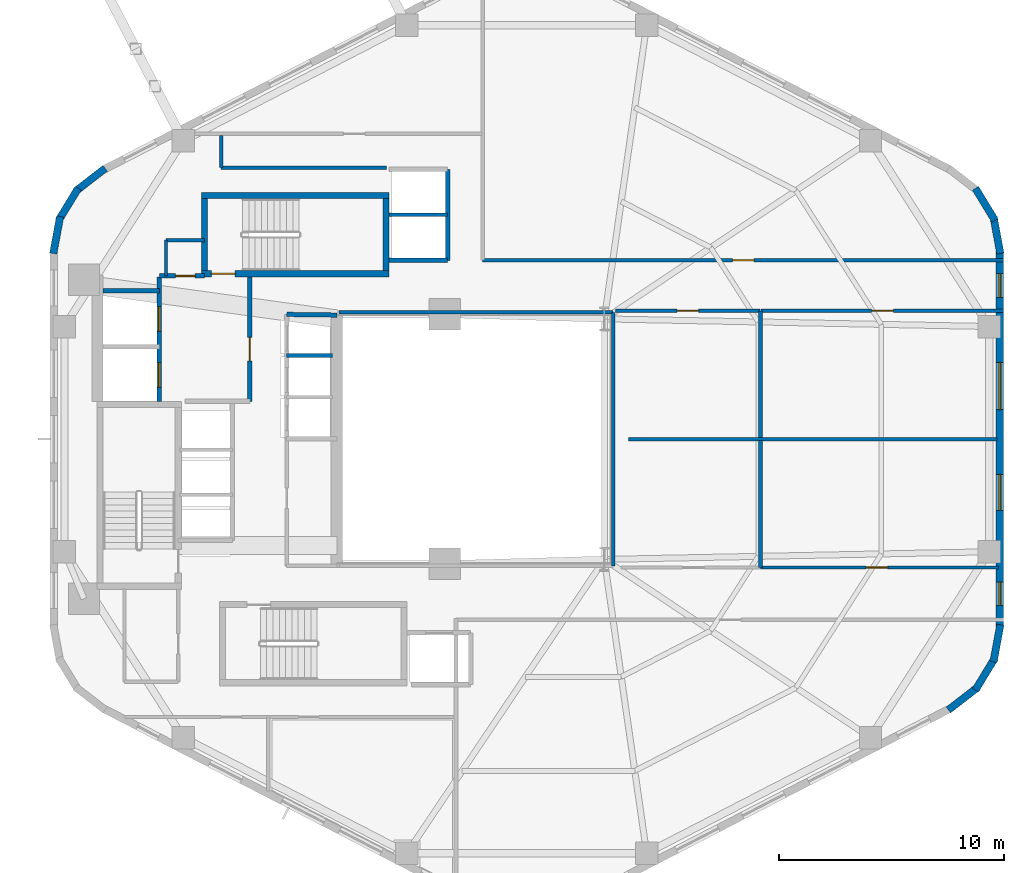
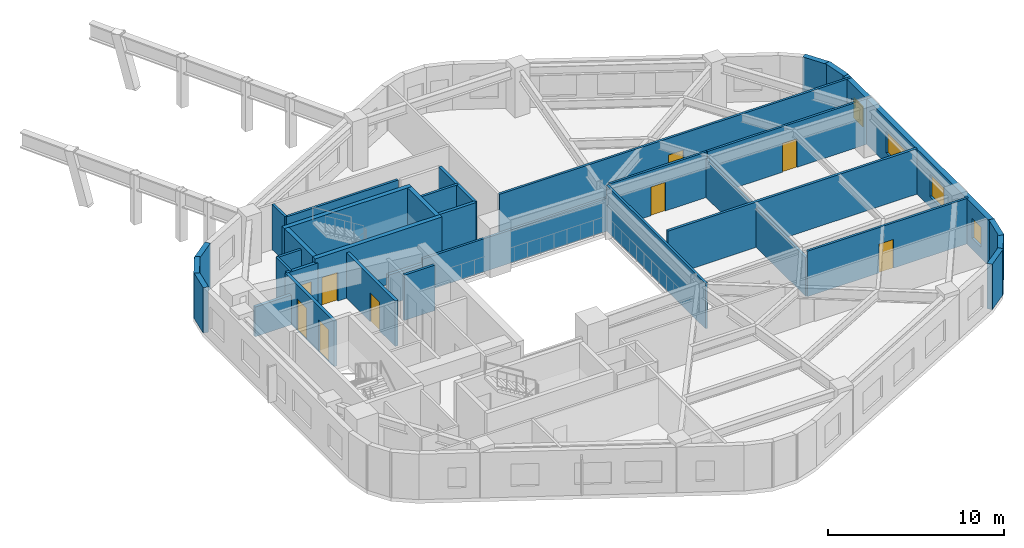
# One storey, part 4 of 6: 35 walls, 9 doors, 4 windows, 13 openings.
"""IFC4 building model written with IfcOpenShell, lengths in metres."""

import ifcopenshell
import ifcopenshell.guid

model = None  # the IFC model being written
_history = None  # IfcOwnerHistory: only IFC2X3 demands one
_inside = {}  # id of a spatial element -> (the spatial element, [elements in it])
_under = {}  # id of a project, library or spatial element -> (it, [spatial elements below it])
_declared = {}  # id of a project -> (the project, [libraries it declares])
_typed = {}  # id of a type object -> (the type object, [elements of that type])
_made_of = {}  # id of a material, layer set ... -> (it, [elements and type objects made of it])


def new_model(schema):
    """Start an empty IFC model of exactly this schema.

    Asked for "IFC4X3", IfcOpenShell would pick the latest addendum, in which some entities
    have other attributes; the version numbers below select the first issue.
    IFC2X3 requires an IfcOwnerHistory on every rooted entity: one is made here for all.
    """
    global model, _history
    if schema == "IFC4X3":
        model = ifcopenshell.file(schema_version=(4, 3, 0, 0))
    else:
        model = ifcopenshell.file(schema=schema)
    _inside.clear()
    _under.clear()
    _declared.clear()
    _typed.clear()
    _made_of.clear()
    _history = None
    if model.schema == "IFC2X3":
        org = make("IfcOrganization", Name="unknown")
        user = make(
            "IfcPersonAndOrganization",
            ThePerson=make("IfcPerson", FamilyName="unknown"),
            TheOrganization=org,
        )
        app = make(
            "IfcApplication",
            ApplicationDeveloper=org,
            Version="unknown",
            ApplicationFullName="unknown",
            ApplicationIdentifier="unknown",
        )
        _history = make(
            "IfcOwnerHistory",
            OwningUser=user,
            OwningApplication=app,
            ChangeAction="ADDED",
            CreationDate=0,
        )
    return model


def make(cls, **values):
    """One entity of the class cls with the attributes given. An attribute that is None is left unset."""
    return model.create_entity(
        cls, **{name: value for name, value in values.items() if value is not None}
    )


def rooted(cls, **values):
    """An entity with a GlobalId (a new one), such as an element, a storey or a relation."""
    return make(cls, GlobalId=ifcopenshell.guid.new(), OwnerHistory=_history, **values)


def si_unit(unit_type, name, prefix=None):
    """IfcSIUnit, for example si_unit("LENGTHUNIT", "METRE", prefix="MILLI")."""
    return make("IfcSIUnit", UnitType=unit_type, Prefix=prefix, Name=name)


def assignment(units):
    """IfcUnitAssignment: the units of a project."""
    return None if units is None else make("IfcUnitAssignment", Units=units)


def point(xyz):
    """IfcCartesianPoint."""
    return None if xyz is None else make("IfcCartesianPoint", Coordinates=xyz)


def direction(xyz):
    """IfcDirection."""
    return None if xyz is None else make("IfcDirection", DirectionRatios=xyz)


def frame(location, z_axis=None, x_axis=None):
    """IfcAxis2Placement3D, a coordinate frame: its origin and axes. An axis left out is left unset."""
    return make(
        "IfcAxis2Placement3D",
        Location=point(location),
        Axis=direction(z_axis),
        RefDirection=direction(x_axis),
    )


def frame_2d(location, x_axis=None):
    """IfcAxis2Placement2D, a coordinate frame in the plane: its origin and x axis."""
    return make(
        "IfcAxis2Placement2D", Location=point(location), RefDirection=direction(x_axis)
    )


def origin():
    """The frame at (0, 0, 0) with its axes left unset."""
    return frame((0.0, 0.0, 0.0))


def place(relative_to, where):
    """IfcLocalPlacement: puts the frame where relative to a parent placement (None: the world)."""
    return make(
        "IfcLocalPlacement", PlacementRelTo=relative_to, RelativePlacement=where
    )


def context(
    kind, dimensions, precision=None, world=None, true_north=None, identifier=None
):
    """IfcGeometricRepresentationContext, for example the 3D "Model" context."""
    return make(
        "IfcGeometricRepresentationContext",
        ContextIdentifier=identifier,
        ContextType=kind,
        CoordinateSpaceDimension=dimensions,
        Precision=precision,
        WorldCoordinateSystem=world,
        TrueNorth=true_north,
    )


def subcontext(parent, identifier, kind, view, scale=None):
    """IfcGeometricRepresentationSubContext, for example "Body" below "Model"."""
    return make(
        "IfcGeometricRepresentationSubContext",
        ContextIdentifier=identifier,
        ContextType=kind,
        ParentContext=parent,
        TargetScale=scale,
        TargetView=view,
    )


def project(units=None, contexts=None):
    """IfcProject with its units and contexts."""
    return rooted(
        "IfcProject",
        Name="project",
        RepresentationContexts=contexts,
        UnitsInContext=assignment(units),
    )


def spatial(cls, under=None, at=None, **own):
    """A site, building, storey or space (cls), placed at a placement, below another one or the project."""
    s = rooted(cls, ObjectPlacement=at, **own)
    if under is not None:
        _under.setdefault(under.id(), (under, []))[1].append(s)
    return s


def profile(cls, at=None, kind="AREA", **sizes):
    """A parametric profile (cls). Its sizes go by their IFC names, for example OverallWidth=200.0."""
    return make(cls, ProfileType=kind, Position=at, **sizes)


def rectangle(**sizes):
    """IfcRectangleProfileDef."""
    return profile("IfcRectangleProfileDef", **sizes)


def extrude(swept, where, along, depth):
    """IfcExtrudedAreaSolid: the profile swept, set in the frame where, extruded along a direction by depth."""
    return make(
        "IfcExtrudedAreaSolid",
        SweptArea=swept,
        Position=where,
        ExtrudedDirection=direction(along),
        Depth=depth,
    )


def shape(context_of_items, identifier, shape_type, items):
    """IfcShapeRepresentation: the items that make up one representation, for example the "Body"."""
    return make(
        "IfcShapeRepresentation",
        ContextOfItems=context_of_items,
        RepresentationIdentifier=identifier,
        RepresentationType=shape_type,
        Items=items,
    )


def material(Name=None, Category=None):
    """IfcMaterial."""
    return make("IfcMaterial", Name=Name, Category=Category)


def layer(
    of_material, thickness, ventilated=None, Name=None, Category=None, Priority=None
):
    """IfcMaterialLayer: one layer of a wall or slab, of a material (None: an air gap)."""
    return make(
        "IfcMaterialLayer",
        Material=of_material,
        LayerThickness=thickness,
        IsVentilated=ventilated,
        Name=Name,
        Category=Category,
        Priority=Priority,
    )


def layer_set(layers, Name=None):
    """IfcMaterialLayerSet."""
    return make("IfcMaterialLayerSet", MaterialLayers=layers, LayerSetName=Name)


def made_of(thing, what):
    """Note that an element or type object is made of a material, layer set ...; save() writes the relation."""
    if what is not None:
        _made_of.setdefault(what.id(), (what, []))[1].append(thing)
    return thing


def type_object(cls, material=None, **own):
    """A type object (cls), such as IfcWallType, which elements share."""
    return made_of(rooted(cls, **own), material)


def element(
    cls,
    number,
    at=None,
    inside=None,
    cuts=None,
    type_object=None,
    material=None,
    context=None,
    identifier="Body",
    shape_type=None,
    held_by="IfcProductDefinitionShape",
    body=None,
    shapes=None,
    **own,
):
    """One element of the class cls, such as IfcWall. Its Tag is "e" and its number.

    at: its placement. inside: the storey or other place that contains it. cuts: it is an
    opening in that element (IfcRelVoidsElement). A single representation is given by context,
    identifier, shape_type and body (its items); several are given by shapes. held_by: the class
    of the entity that holds the representations. save() writes the other relations.
    """
    e = rooted(cls, Tag="e%d" % number, ObjectPlacement=at, **own)
    if body is not None:
        shapes = [shape(context, identifier, shape_type, body)]
    if shapes is not None:
        e.Representation = make(held_by, Representations=shapes)
    if inside is not None:
        _inside.setdefault(inside.id(), (inside, []))[1].append(e)
    if cuts is not None:
        rooted(
            "IfcRelVoidsElement", RelatingBuildingElement=cuts, RelatedOpeningElement=e
        )
    if type_object is not None:
        _typed.setdefault(type_object.id(), (type_object, []))[1].append(e)
    return made_of(e, material)


def fill(opening, filler):
    """IfcRelFillsElement: the door or window that sits in an opening."""
    return rooted(
        "IfcRelFillsElement",
        RelatingOpeningElement=opening,
        RelatedBuildingElement=filler,
    )


def aggregate(whole, parts):
    """IfcRelAggregates: a whole, such as a stair, and the parts it consists of."""
    return rooted("IfcRelAggregates", RelatingObject=whole, RelatedObjects=parts)


def save(model, path):
    """Write the relations noted so far, then the file.

    IfcRelAggregates (storeys below a building ...), IfcRelContainedInSpatialStructure (elements
    in a storey), IfcRelDefinesByType, IfcRelAssociatesMaterial and IfcRelDeclares: one each for
    every whole, place, type object, material and project.
    """
    for whole, parts in _under.values():
        aggregate(whole, parts)
    for where, things in _inside.values():
        rooted(
            "IfcRelContainedInSpatialStructure",
            RelatedElements=things,
            RelatingStructure=where,
        )
    for kind, things in _typed.values():
        rooted("IfcRelDefinesByType", RelatedObjects=things, RelatingType=kind)
    for what, things in _made_of.values():
        rooted("IfcRelAssociatesMaterial", RelatedObjects=things, RelatingMaterial=what)
    for by, libraries in _declared.values():
        rooted("IfcRelDeclares", RelatingContext=by, RelatedDefinitions=libraries)
    model.write(path)


model = new_model("IFC4")

# Units and contexts
model_context = context("Model", 3, precision=1e-05, world=origin(), true_north=direction((0.0, 1.0)))
body_context = subcontext(model_context, "Body", "Model", "MODEL_VIEW")
ifc_project = project(units=[si_unit("LENGTHUNIT", "METRE"), si_unit("AREAUNIT", "SQUARE_METRE"), si_unit("VOLUMEUNIT", "CUBIC_METRE"), si_unit("PLANEANGLEUNIT", "RADIAN"), si_unit("MASSUNIT", "GRAM", prefix="KILO"), si_unit("THERMODYNAMICTEMPERATUREUNIT", "KELVIN"), si_unit("POWERUNIT", "WATT")], contexts=[model_context])

# Site, building, storey
site_placement = place(None, origin())
site = spatial("IfcSite", under=ifc_project, at=site_placement, CompositionType="ELEMENT")
building_placement = place(site_placement, origin())
building = spatial("IfcBuilding", under=site, at=building_placement, Name="Skarre Station Tower", CompositionType="ELEMENT")
storey_placement = place(building_placement, frame((0.0, 0.0, 136.050048828125)))
storey = spatial("IfcBuildingStorey", under=building, at=storey_placement, Name="L36", CompositionType="ELEMENT", Elevation=136.050048828125)

# Walls
ifc_material_1 = material(Name="Acoustic Steel-Stud Gypsum Partition", Category="steel")
ifc_layer_1 = layer(ifc_material_1, 0.14990234375, Name="Acoustic Steel-Stud Gypsum Partition")
ifc_layer_set_1 = layer_set([ifc_layer_1], Name="Acoustic Steel-Stud Gypsum Partition")
wall_type_1 = type_object("IfcWallType", Name="Fire-Rated Corridor Acoustic Partition 150", PredefinedType="PARTITIONING", material=ifc_layer_set_1)
wall_1_placement = place(storey_placement, frame((19.949951171875, 32.85009765625, 0.0), z_axis=(0.0, 0.0, 1.0), x_axis=(0.0, -1.0, 0.0)))
element("IfcWall", 1, at=wall_1_placement, inside=storey, type_object=wall_type_1, Name="L36 Interior Partition WL-PT-L36-CNW-W", PredefinedType="PARTITIONING", context=body_context, shape_type="SweptSolid", body=[
    extrude(rectangle(XDim=1.590087890625, YDim=0.14990234375, at=frame_2d((0.794921875, 0.0))), origin(), (0.0, 0.0, 1.0), 3.159912109375),
])
wall_2_placement = place(storey_placement, frame((21.659912109375, 32.85009765625, 0.0), z_axis=(0.0, 0.0, 1.0), x_axis=(-1.0, 0.0, 0.0)))
element("IfcWall", 2, at=wall_2_placement, inside=storey, type_object=wall_type_1, Name="L36 Interior Partition WL-PT-L36-CNW-N1", PredefinedType="PARTITIONING", context=body_context, shape_type="SweptSolid", body=[
    extrude(rectangle(XDim=1.7099609375, YDim=0.14990234375, at=frame_2d((0.85498046875, 0.0))), origin(), (0.0, 0.0, 1.0), 3.159912109375),
])
wall_3_placement = place(storey_placement, frame((39.840087890625, 29.639892578125, 0.0), z_axis=(0.0, 0.0, 1.0), x_axis=(-1.0, 0.0, 0.0)))
element("IfcWall", 3, at=wall_3_placement, inside=storey, type_object=wall_type_1, Name="L36 Interior Partition WL-PT-L36-ATRW-N", PredefinedType="PARTITIONING", context=body_context, shape_type="SweptSolid", body=[
    extrude(rectangle(XDim=12.2001953125, YDim=0.14990234375, at=frame_2d((6.10009765625, 0.0))), origin(), (0.0, 0.0, 1.0), 2.301025390625),
])
wall_4_placement = place(storey_placement, frame((39.840087890625, 18.360107421875, 0.0), z_axis=(0.0, 0.0, 1.0), x_axis=(0.0, 1.0, 0.0)))
element("IfcWall", 4, at=wall_4_placement, inside=storey, type_object=wall_type_1, Name="L36 Interior Partition WL-PT-L36-ATRW-E", PredefinedType="PARTITIONING", context=body_context, shape_type="SweptSolid", body=[
    extrude(rectangle(XDim=11.27978515625, YDim=0.14990234375, at=frame_2d((5.639892578125, 0.0))), origin(), (0.0, 0.0, 1.0), 3.159912109375),
])

# Wall, opening, door
wall_5_placement = place(storey_placement, frame((57.2080078125, 31.9599609375, 0.0), z_axis=(0.0, 0.0, 1.0), x_axis=(-1.0, 0.0, 0.0)))
wall_5 = element("IfcWall", 5, at=wall_5_placement, inside=storey, type_object=wall_type_1, Name="L36 Interior Partition WL-PT-L36-NW1-CW", PredefinedType="PARTITIONING", context=body_context, shape_type="SweptSolid", body=[
    extrude(rectangle(XDim=23.16796875, YDim=0.14990234375, at=frame_2d((11.583984375, 0.0))), origin(), (0.0, 0.0, 1.0), 3.159912109375),
])
opening_1_placement = place(wall_5_placement, frame((11.090087890625, 0.0, 0.0)))
opening_1 = element("IfcOpeningElement", 6, at=opening_1_placement, cuts=wall_5, Name="Opening DR-FD60", PredefinedType="OPENING", context=body_context, shape_type="SweptSolid", body=[
    extrude(rectangle(XDim=0.9599609375, YDim=2.0, at=frame_2d((0.47998046875, 1.0))), frame((0.0, 0.0849609375, 0.0), z_axis=(0.0, -1.0, 0.0), x_axis=(1.0, 0.0, 0.0)), (0.0, 0.0, 1.0), 0.169921875),
])
ifc_material_2 = material(Name="Nordic White-Oak Veneer Solid-Core Fire Leaf", Category="wood")
door_type_1 = type_object("IfcDoorType", Name="Corridor Suite Entry Fire Door FD60 960x2150", OperationType="SINGLE_SWING_LEFT", PredefinedType="DOOR", material=ifc_material_2)
door_1_placement = place(opening_1_placement, origin())
door_1 = element("IfcDoor", 7, at=door_1_placement, inside=storey, type_object=door_type_1, Name="L36 NW1 Entry Door", OperationType="SINGLE_SWING_LEFT", OverallHeight=2.0, OverallWidth=0.9599609375, PredefinedType="DOOR", context=body_context, shape_type="SweptSolid", body=[
    extrude(rectangle(XDim=0.9599609375, YDim=2.0, at=frame_2d((0.47998046875, 1.0))), frame((0.0, 0.02490234375, 0.0), z_axis=(0.0, -1.0, 0.0), x_axis=(1.0, 0.0, 0.0)), (0.0, 0.0, 1.0), 0.050048828125),
])
fill(opening_1, door_1)

wall_6_placement = place(storey_placement, frame((39.949951171875, 29.7099609375, 0.0), z_axis=(0.0, 0.0, 1.0), x_axis=(1.0, 0.0, 0.0)))
wall_6 = element("IfcWall", 8, at=wall_6_placement, inside=storey, type_object=wall_type_1, Name="L36 Interior Partition WL-PT-L36-EWN1-CW", PredefinedType="PARTITIONING", context=body_context, shape_type="SweptSolid", body=[
    extrude(rectangle(XDim=6.43310546875, YDim=0.14990234375, at=frame_2d((3.216552734375, 0.0))), origin(), (0.0, 0.0, 1.0), 3.159912109375),
])
opening_2_placement = place(wall_6_placement, frame((2.736083984375, 0.0, 0.0)))
opening_2 = element("IfcOpeningElement", 9, at=opening_2_placement, cuts=wall_6, Name="Opening DR-FD60", PredefinedType="OPENING", context=body_context, shape_type="SweptSolid", body=[
    extrude(rectangle(XDim=0.9599609375, YDim=2.0, at=frame_2d((0.47998046875, 1.0))), frame((0.0, 0.0849609375, 0.0), z_axis=(0.0, -1.0, 0.0), x_axis=(1.0, 0.0, 0.0)), (0.0, 0.0, 1.0), 0.169921875),
])
door_2_placement = place(opening_2_placement, origin())
door_2 = element("IfcDoor", 10, at=door_2_placement, inside=storey, type_object=door_type_1, Name="L36 EWN1 Entry Door", OperationType="SINGLE_SWING_LEFT", OverallHeight=2.0, OverallWidth=0.9599609375, PredefinedType="DOOR", context=body_context, shape_type="SweptSolid", body=[
    extrude(rectangle(XDim=0.9599609375, YDim=2.0, at=frame_2d((0.47998046875, 1.0))), frame((0.0, 0.02490234375, 0.0), z_axis=(0.0, -1.0, 0.0), x_axis=(1.0, 0.0, 0.0)), (0.0, 0.0, 1.0), 0.050048828125),
])
fill(opening_2, door_2)

wall_7_placement = place(storey_placement, frame((46.4130859375, 29.7099609375, 0.0), z_axis=(0.0, 0.0, 1.0), x_axis=(1.0, 0.0, 0.0)))
wall_7 = element("IfcWall", 11, at=wall_7_placement, inside=storey, type_object=wall_type_1, Name="L36 Interior Partition WL-PT-L36-EWN2-CW", PredefinedType="PARTITIONING", context=body_context, shape_type="SweptSolid", body=[
    extrude(rectangle(XDim=10.794921875, YDim=0.14990234375, at=frame_2d((5.3974609375, 0.0))), origin(), (0.0, 0.0, 1.0), 3.159912109375),
])
opening_3_placement = place(wall_7_placement, frame((4.931884765625, 0.0, 0.0)))
opening_3 = element("IfcOpeningElement", 12, at=opening_3_placement, cuts=wall_7, Name="Opening DR-FD60", PredefinedType="OPENING", context=body_context, shape_type="SweptSolid", body=[
    extrude(rectangle(XDim=0.9599609375, YDim=2.0, at=frame_2d((0.47998046875, 1.0))), frame((0.0, 0.0849609375, 0.0), z_axis=(0.0, -1.0, 0.0), x_axis=(1.0, 0.0, 0.0)), (0.0, 0.0, 1.0), 0.169921875),
])
door_3_placement = place(opening_3_placement, origin())
door_3 = element("IfcDoor", 13, at=door_3_placement, inside=storey, type_object=door_type_1, Name="L36 EWN2 Entry Door", OperationType="SINGLE_SWING_LEFT", OverallHeight=2.0, OverallWidth=0.9599609375, PredefinedType="DOOR", context=body_context, shape_type="SweptSolid", body=[
    extrude(rectangle(XDim=0.9599609375, YDim=2.0, at=frame_2d((0.47998046875, 1.0))), frame((0.0, 0.02490234375, 0.0), z_axis=(0.0, -1.0, 0.0), x_axis=(1.0, 0.0, 0.0)), (0.0, 0.0, 1.0), 0.050048828125),
])
fill(opening_3, door_3)

wall_8_placement = place(storey_placement, frame((56.988037109375, 18.2900390625, 0.0), z_axis=(0.0, 0.0, 1.0), x_axis=(-1.0, 0.0, 0.0)))
wall_8 = element("IfcWall", 14, at=wall_8_placement, inside=storey, type_object=wall_type_1, Name="L36 Interior Partition WL-PT-L36-EWS2-CW", PredefinedType="PARTITIONING", context=body_context, shape_type="SweptSolid", body=[
    extrude(rectangle(XDim=10.5849609375, YDim=0.14990234375, at=frame_2d((5.29248046875, 0.0))), origin(), (0.0, 0.0, 1.0), 3.159912109375),
])
opening_4_placement = place(wall_8_placement, frame((4.931884765625, 0.0, 0.0)))
opening_4 = element("IfcOpeningElement", 15, at=opening_4_placement, cuts=wall_8, Name="Opening DR-FD60", PredefinedType="OPENING", context=body_context, shape_type="SweptSolid", body=[
    extrude(rectangle(XDim=0.9599609375, YDim=2.0, at=frame_2d((0.47998046875, 1.0))), frame((0.0, 0.0849609375, 0.0), z_axis=(0.0, -1.0, 0.0), x_axis=(1.0, 0.0, 0.0)), (0.0, 0.0, 1.0), 0.169921875),
])
door_4_placement = place(opening_4_placement, origin())
door_4 = element("IfcDoor", 16, at=door_4_placement, inside=storey, type_object=door_type_1, Name="L36 EWS2 Entry Door", OperationType="SINGLE_SWING_LEFT", OverallHeight=2.0, OverallWidth=0.9599609375, PredefinedType="DOOR", context=body_context, shape_type="SweptSolid", body=[
    extrude(rectangle(XDim=0.9599609375, YDim=2.0, at=frame_2d((0.47998046875, 1.0))), frame((0.0, 0.02490234375, 0.0), z_axis=(0.0, -1.0, 0.0), x_axis=(1.0, 0.0, 0.0)), (0.0, 0.0, 1.0), 0.050048828125),
])
fill(opening_4, door_4)

# Walls
wall_9_placement = place(storey_placement, frame((29.7529296875, 36.080078125, 0.0), z_axis=(0.0, 0.0, 1.0), x_axis=(-1.0, 0.0, 0.0)))
element("IfcWall", 17, at=wall_9_placement, inside=storey, type_object=wall_type_1, Name="L36 Interior Partition WL-PT-L36-CSEAL-1", PredefinedType="PARTITIONING", context=body_context, shape_type="SweptSolid", body=[
    extrude(rectangle(XDim=7.35302734375, YDim=0.14990234375, at=frame_2d((3.676513671875, 0.0))), origin(), (0.0, 0.0, 1.0), 3.159912109375),
])
wall_10_placement = place(storey_placement, frame((22.39990234375, 36.080078125, 0.0), z_axis=(0.0, 0.0, 1.0), x_axis=(0.0, 1.0, 0.0)))
element("IfcWall", 18, at=wall_10_placement, inside=storey, type_object=wall_type_1, Name="L36 Interior Partition WL-PT-L36-CSEAL-2", PredefinedType="PARTITIONING", context=body_context, shape_type="SweptSolid", body=[
    extrude(rectangle(XDim=1.429931640625, YDim=0.14990234375, at=frame_2d((0.71484375, 0.0))), origin(), (0.0, 0.0, 1.0), 3.159912109375),
])

# Wall, openings, windows
ifc_material_3 = material(Name="Precast concrete C45/55", Category="concrete")
ifc_layer_2 = layer(ifc_material_3, 0.340087890625, Name="Precast concrete C45/55")
ifc_layer_set_2 = layer_set([ifc_layer_2], Name="Precast concrete C45/55")
wall_type_2 = type_object("IfcWallType", Name="Nordic Honed Precast Facet Wall 340", PredefinedType="STANDARD", material=ifc_layer_set_2)
wall_11_placement = place(storey_placement, frame((57.048095703125, 32.35205078125, 0.0), z_axis=(0.0, 0.0, 1.0), x_axis=(0.0, -1.0, 0.0)))
wall_11 = element("IfcWall", 19, at=wall_11_placement, inside=storey, type_object=wall_type_2, Name="L36 Facet 5 Nordic Precast Masonry Wall", PredefinedType="STANDARD", context=body_context, shape_type="SweptSolid", body=[
    extrude(rectangle(XDim=16.7041015625, YDim=0.340087890625, at=frame_2d((8.35205078125, 0.0))), origin(), (0.0, 0.0, 1.0), 3.159912109375),
])
opening_5_placement = place(wall_11_placement, frame((0.991943359375, 0.0, 0.75)))
opening_5 = element("IfcOpeningElement", 20, at=opening_5_placement, cuts=wall_11, Name="Opening WN-SLT", PredefinedType="OPENING", context=body_context, shape_type="SweptSolid", body=[
    extrude(rectangle(XDim=1.050048828125, YDim=1.39990234375, at=frame_2d((0.52490234375, 0.699951171875))), frame((0.0, 0.179931640625, 0.0), z_axis=(0.0, -1.0, 0.0), x_axis=(1.0, 0.0, 0.0)), (0.0, 0.0, 1.0), 0.360107421875),
])
opening_6_placement = place(wall_11_placement, frame((4.93505859375, 0.0, 0.75)))
opening_6 = element("IfcOpeningElement", 21, at=opening_6_placement, cuts=wall_11, Name="Opening WN-Z2B", PredefinedType="OPENING", context=body_context, shape_type="SweptSolid", body=[
    extrude(rectangle(XDim=2.10009765625, YDim=1.5, at=frame_2d((1.050048828125, 0.75))), frame((0.0, 0.179931640625, 0.0), z_axis=(0.0, -1.0, 0.0), x_axis=(1.0, 0.0, 0.0)), (0.0, 0.0, 1.0), 0.360107421875),
])
opening_7_placement = place(wall_11_placement, frame((9.9189453125, 0.0, 0.75)))
opening_7 = element("IfcOpeningElement", 22, at=opening_7_placement, cuts=wall_11, Name="Opening WN-Z2A", PredefinedType="OPENING", context=body_context, shape_type="SweptSolid", body=[
    extrude(rectangle(XDim=1.60009765625, YDim=1.550048828125, at=frame_2d((0.800048828125, 0.77490234375))), frame((0.0, 0.179931640625, 0.0), z_axis=(0.0, -1.0, 0.0), x_axis=(1.0, 0.0, 0.0)), (0.0, 0.0, 1.0), 0.360107421875),
])
opening_8_placement = place(wall_11_placement, frame((14.701904296875, 0.0, 0.75)))
opening_8 = element("IfcOpeningElement", 23, at=opening_8_placement, cuts=wall_11, Name="Opening WN-SLT", PredefinedType="OPENING", context=body_context, shape_type="SweptSolid", body=[
    extrude(rectangle(XDim=1.050048828125, YDim=1.39990234375, at=frame_2d((0.52490234375, 0.699951171875))), frame((0.0, 0.179931640625, 0.0), z_axis=(0.0, -1.0, 0.0), x_axis=(1.0, 0.0, 0.0)), (0.0, 0.0, 1.0), 0.360107421875),
])
ifc_material_4 = material(Name="Low-Iron Triple Glazing with Bronze Anodized Frame", Category="glass")
window_type_1 = type_object("IfcWindowType", Name="Nordic Corner Slot Window 1050x1400", PartitioningType="SINGLE_PANEL", PredefinedType="WINDOW", material=ifc_material_4)
window_1_placement = place(opening_5_placement, origin())
window_1 = element("IfcWindow", 24, at=window_1_placement, inside=storey, type_object=window_type_1, Name="L36 Facade Window WL-FAC-L36-F5-1", OverallHeight=1.39990234375, OverallWidth=1.050048828125, PartitioningType="SINGLE_PANEL", PredefinedType="WINDOW", context=body_context, shape_type="SweptSolid", body=[
    extrude(rectangle(XDim=1.050048828125, YDim=1.39990234375, at=frame_2d((0.52490234375, 0.699951171875))), frame((0.0, 0.030029296875, 0.0), z_axis=(0.0, -1.0, 0.0), x_axis=(1.0, 0.0, 0.0)), (0.0, 0.0, 1.0), 0.06005859375),
])
fill(opening_5, window_1)
window_2_placement = place(opening_8_placement, origin())
window_2 = element("IfcWindow", 25, at=window_2_placement, inside=storey, type_object=window_type_1, Name="L36 Facade Window WL-FAC-L36-F5-4", OverallHeight=1.39990234375, OverallWidth=1.050048828125, PartitioningType="SINGLE_PANEL", PredefinedType="WINDOW", context=body_context, shape_type="SweptSolid", body=[
    extrude(rectangle(XDim=1.050048828125, YDim=1.39990234375, at=frame_2d((0.52490234375, 0.699951171875))), frame((0.0, 0.030029296875, 0.0), z_axis=(0.0, -1.0, 0.0), x_axis=(1.0, 0.0, 0.0)), (0.0, 0.0, 1.0), 0.06005859375),
])
fill(opening_8, window_2)
window_type_2 = type_object("IfcWindowType", Name="Nordic Residential Tall Window 1600x1550", PartitioningType="SINGLE_PANEL", PredefinedType="WINDOW", material=ifc_material_4)
window_3_placement = place(opening_7_placement, origin())
window_3 = element("IfcWindow", 26, at=window_3_placement, inside=storey, type_object=window_type_2, Name="L36 Facade Window WL-FAC-L36-F5-3", OverallHeight=1.550048828125, OverallWidth=1.60009765625, PartitioningType="SINGLE_PANEL", PredefinedType="WINDOW", context=body_context, shape_type="SweptSolid", body=[
    extrude(rectangle(XDim=1.60009765625, YDim=1.550048828125, at=frame_2d((0.800048828125, 0.77490234375))), frame((0.0, 0.030029296875, 0.0), z_axis=(0.0, -1.0, 0.0), x_axis=(1.0, 0.0, 0.0)), (0.0, 0.0, 1.0), 0.06005859375),
])
fill(opening_7, window_3)
window_type_3 = type_object("IfcWindowType", Name="Nordic Residential Twin Window 2100x1500", PartitioningType="SINGLE_PANEL", PredefinedType="WINDOW", material=ifc_material_4)
window_4_placement = place(opening_6_placement, origin())
window_4 = element("IfcWindow", 27, at=window_4_placement, inside=storey, type_object=window_type_3, Name="L36 Facade Window WL-FAC-L36-F5-2", OverallHeight=1.5, OverallWidth=2.10009765625, PartitioningType="SINGLE_PANEL", PredefinedType="WINDOW", context=body_context, shape_type="SweptSolid", body=[
    extrude(rectangle(XDim=2.10009765625, YDim=1.5, at=frame_2d((1.050048828125, 0.75))), frame((0.0, 0.030029296875, 0.0), z_axis=(0.0, -1.0, 0.0), x_axis=(1.0, 0.0, 0.0)), (0.0, 0.0, 1.0), 0.06005859375),
])
fill(opening_6, window_4)

# Walls
ifc_layer_3 = layer(ifc_material_3, 0.330078125, Name="Precast concrete C45/55")
ifc_layer_set_3 = layer_set([ifc_layer_3], Name="Precast concrete C45/55")
wall_type_3 = type_object("IfcWallType", Name="Nordic Rounded Corner Precast Wall 330", PredefinedType="STANDARD", material=ifc_layer_set_3)
wall_12_placement = place(storey_placement, frame((55.95703125, 35.1640625, 0.0), z_axis=(0.0, 0.0, 1.0), x_axis=(0.520519429557, -0.853849824883, 0.0)))
element("IfcWall", 28, at=wall_12_placement, inside=storey, type_object=wall_type_3, Name="L36 Rounded Corner Precast Wall F0-2", PredefinedType="STANDARD", context=body_context, shape_type="SweptSolid", body=[
    extrude(rectangle(XDim=1.67724609375, YDim=0.330078125, at=frame_2d((0.838623046875, 0.0))), origin(), (0.0, 0.0, 1.0), 3.159912109375),
])
for number, where, z_axis, x_axis, name in (
    (29, (56.762939453125, 33.906982421875, 0.0), (0.0, 0.0, 1.0), (0.181984991895, -0.983301308209, 0.0), "L36 Rounded Corner Precast Wall F0-3"),
    (30, (14.931884765625, 32.258056640625, 0.0), (0.0, 0.0, 1.0), (0.181984991895, 0.983301308209, 0.0), "L36 Rounded Corner Precast Wall F2-1"),
):
    element("IfcWall", number, at=place(storey_placement, frame(where, z_axis=z_axis, x_axis=x_axis)), inside=storey, type_object=wall_type_3, Name=name, PredefinedType="STANDARD", context=body_context, shape_type="SweptSolid", body=[
        extrude(rectangle(XDim=1.677001953125, YDim=0.330078125, at=frame_2d((0.83837890625, 0.0))), origin(), (0.0, 0.0, 1.0), 3.159912109375),
    ])
wall_13_placement = place(storey_placement, frame((15.169921875, 33.73193359375, 0.0), z_axis=(0.0, 0.0, 1.0), x_axis=(0.520519429557, 0.853849824883, 0.0)))
element("IfcWall", 31, at=wall_13_placement, inside=storey, type_object=wall_type_3, Name="L36 Rounded Corner Precast Wall F2-2", PredefinedType="STANDARD", context=body_context, shape_type="SweptSolid", body=[
    extrude(rectangle(XDim=1.67724609375, YDim=0.330078125, at=frame_2d((0.838623046875, 0.0))), origin(), (0.0, 0.0, 1.0), 3.159912109375),
])
wall_14_placement = place(storey_placement, frame((15.91796875, 35.02392578125, 0.0), z_axis=(0.0, 0.0, 1.0), x_axis=(0.790621329885, 0.612305408053, 0.0)))
element("IfcWall", 32, at=wall_14_placement, inside=storey, type_object=wall_type_3, Name="L36 Rounded Corner Precast Wall F2-3", PredefinedType="STANDARD", context=body_context, shape_type="SweptSolid", body=[
    extrude(rectangle(XDim=1.67578125, YDim=0.330078125, at=frame_2d((0.837890625, 0.0))), origin(), (0.0, 0.0, 1.0), 3.159912109375),
])
wall_15_placement = place(storey_placement, frame((57.068115234375, 15.741943359375, 0.0), z_axis=(0.0, 0.0, 1.0), x_axis=(-0.181984991895, -0.983301308209, 0.0)))
element("IfcWall", 33, at=wall_15_placement, inside=storey, type_object=wall_type_3, Name="L36 Rounded Corner Precast Wall F5-1", PredefinedType="STANDARD", context=body_context, shape_type="SweptSolid", body=[
    extrude(rectangle(XDim=1.677001953125, YDim=0.330078125, at=frame_2d((0.83837890625, 0.0))), origin(), (0.0, 0.0, 1.0), 3.159912109375),
])
wall_16_placement = place(storey_placement, frame((56.830078125, 14.26806640625, 0.0), z_axis=(0.0, 0.0, 1.0), x_axis=(-0.520519429557, -0.853849824883, 0.0)))
element("IfcWall", 34, at=wall_16_placement, inside=storey, type_object=wall_type_3, Name="L36 Rounded Corner Precast Wall F5-2", PredefinedType="STANDARD", context=body_context, shape_type="SweptSolid", body=[
    extrude(rectangle(XDim=1.67724609375, YDim=0.330078125, at=frame_2d((0.838623046875, 0.0))), origin(), (0.0, 0.0, 1.0), 3.159912109375),
])
wall_17_placement = place(storey_placement, frame((56.08203125, 12.97607421875, 0.0), z_axis=(0.0, 0.0, 1.0), x_axis=(-0.790621329885, -0.612305408053, 0.0)))
element("IfcWall", 35, at=wall_17_placement, inside=storey, type_object=wall_type_3, Name="L36 Rounded Corner Precast Wall F5-3", PredefinedType="STANDARD", context=body_context, shape_type="SweptSolid", body=[
    extrude(rectangle(XDim=1.67578125, YDim=0.330078125, at=frame_2d((0.837890625, 0.0))), origin(), (0.0, 0.0, 1.0), 3.159912109375),
])

# Wall, opening, door
ifc_material_5 = material(Name="Concrete C50/60", Category="concrete")
ifc_layer_4 = layer(ifc_material_5, 0.280029296875, Name="Concrete C50/60")
ifc_layer_set_4 = layer_set([ifc_layer_4], Name="Concrete C50/60")
wall_type_4 = type_object("IfcWallType", Name="RC Core Shear Wall 280", PredefinedType="SHEAR", material=ifc_layer_set_4)
wall_18_placement = place(storey_placement, frame((21.52001953125, 31.360107421875, 0.0), z_axis=(0.0, 0.0, 1.0), x_axis=(1.0, 0.0, 0.0)))
wall_18 = element("IfcWall", 36, at=wall_18_placement, inside=storey, type_object=wall_type_4, Name="L36 Stair ST-3 South Shear Wall", PredefinedType="SHEAR", context=body_context, shape_type="SweptSolid", body=[
    extrude(rectangle(XDim=8.35986328125, YDim=0.280029296875, at=frame_2d((4.179931640625, 0.0))), origin(), (0.0, 0.0, 1.0), 3.449951171875),
])
opening_9_placement = place(wall_18_placement, frame((0.449951171875, 0.0, 0.0)))
opening_9 = element("IfcOpeningElement", 37, at=opening_9_placement, cuts=wall_18, Name="Opening DR-FD90", PredefinedType="OPENING", context=body_context, shape_type="SweptSolid", body=[
    extrude(rectangle(XDim=1.050048828125, YDim=2.0, at=frame_2d((0.52490234375, 1.0))), frame((0.0, 0.14990234375, 0.0), z_axis=(0.0, -1.0, 0.0), x_axis=(1.0, 0.0, 0.0)), (0.0, 0.0, 1.0), 0.300048828125),
])
ifc_material_6 = material(Name="Fire-Rated Insulated Steel Frame & Timber Core Leaf", Category="steel")
door_type_2 = type_object("IfcDoorType", Name="Stair & FSAE Lobby Fire Door FD90 1050x2150", OperationType="SINGLE_SWING_RIGHT", PredefinedType="DOOR", material=ifc_material_6)
door_5_placement = place(opening_9_placement, origin())
door_5 = element("IfcDoor", 38, at=door_5_placement, inside=storey, type_object=door_type_2, Name="L36 Stair ST-3 & FSAE Lobby Direct Exit Door", OperationType="SINGLE_SWING_LEFT", OverallHeight=2.0, OverallWidth=1.050048828125, PredefinedType="DOOR", context=body_context, shape_type="SweptSolid", body=[
    extrude(rectangle(XDim=1.050048828125, YDim=2.0, at=frame_2d((0.52490234375, 1.0))), frame((0.0, 0.02490234375, 0.0), z_axis=(0.0, -1.0, 0.0), x_axis=(1.0, 0.0, 0.0)), (0.0, 0.0, 1.0), 0.050048828125),
])
fill(opening_9, door_5)

# Walls
wall_19_placement = place(storey_placement, frame((29.8798828125, 34.840087890625, 0.0), z_axis=(0.0, 0.0, 1.0), x_axis=(-1.0, 0.0, 0.0)))
element("IfcWall", 39, at=wall_19_placement, inside=storey, type_object=wall_type_4, Name="L36 Stair ST-3 North Shear Wall", PredefinedType="SHEAR", context=body_context, shape_type="SweptSolid", body=[
    extrude(rectangle(XDim=8.35986328125, YDim=0.280029296875, at=frame_2d((4.179931640625, 0.0))), origin(), (0.0, 0.0, 1.0), 3.449951171875),
])
for number, where, z_axis, x_axis, name in (
    (40, (21.659912109375, 34.699951171875, 0.0), (0.0, 0.0, 1.0), (0.0, -1.0, 0.0), "L36 Stair ST-3 West Shear Wall"),
    (41, (29.739990234375, 31.5, 0.0), (0.0, 0.0, 1.0), (0.0, 1.0, 0.0), "L36 Stair ST-3 East Shear Wall"),
):
    element("IfcWall", number, at=place(storey_placement, frame(where, z_axis=z_axis, x_axis=x_axis)), inside=storey, type_object=wall_type_4, Name=name, PredefinedType="SHEAR", context=body_context, shape_type="SweptSolid", body=[
        extrude(rectangle(XDim=3.199951171875, YDim=0.280029296875, at=frame_2d((1.60009765625, 0.0))), origin(), (0.0, 0.0, 1.0), 3.449951171875),
    ])

# Wall, openings, doors
ifc_material_7 = material(Name="Gypsum Concrete Shaft Assembly C30/37", Category="concrete")
ifc_layer_5 = layer(ifc_material_7, 0.199951171875, Name="Gypsum Concrete Shaft Assembly C30/37")
ifc_layer_set_5 = layer_set([ifc_layer_5], Name="Gypsum Concrete Shaft Assembly C30/37")
wall_type_5 = type_object("IfcWallType", Name="Shaft & Core Fire Partition 200", PredefinedType="PARTITIONING", material=ifc_layer_set_5)
wall_20_placement = place(storey_placement, frame((19.64990234375, 25.679931640625, 0.0), z_axis=(0.0, 0.0, 1.0), x_axis=(0.0, 1.0, 0.0)))
wall_20 = element("IfcWall", 42, at=wall_20_placement, inside=storey, type_object=wall_type_5, Name="L36 Interior Partition WL-PT-L36-FSAE-W", PredefinedType="PARTITIONING", context=body_context, shape_type="SweptSolid", body=[
    extrude(rectangle(XDim=5.5400390625, YDim=0.199951171875, at=frame_2d((2.77001953125, 0.0))), origin(), (0.0, 0.0, 1.0), 3.159912109375),
])
opening_10_placement = place(wall_20_placement, frame((0.6201171875, 0.0, 0.0)))
opening_10 = element("IfcOpeningElement", 43, at=opening_10_placement, cuts=wall_20, Name="Opening LD-FF1", PredefinedType="OPENING", context=body_context, shape_type="SweptSolid", body=[
    extrude(rectangle(XDim=1.10009765625, YDim=2.199951171875, at=frame_2d((0.550048828125, 1.10009765625))), frame((0.0, 0.10986328125, 0.0), z_axis=(0.0, -1.0, 0.0), x_axis=(1.0, 0.0, 0.0)), (0.0, 0.0, 1.0), 0.219970703125),
])
opening_11_placement = place(wall_20_placement, frame((3.1201171875, 0.0, 0.0)))
opening_11 = element("IfcOpeningElement", 44, at=opening_11_placement, cuts=wall_20, Name="Opening LD-FF2", PredefinedType="OPENING", context=body_context, shape_type="SweptSolid", body=[
    extrude(rectangle(XDim=1.10009765625, YDim=2.199951171875, at=frame_2d((0.550048828125, 1.10009765625))), frame((0.0, 0.10986328125, 0.0), z_axis=(0.0, -1.0, 0.0), x_axis=(1.0, 0.0, 0.0)), (0.0, 0.0, 1.0), 0.219970703125),
])
ifc_material_8 = material(Name="Fire-Rated Stainless Steel Grade 316L Sliding Leaves", Category="steel")
door_type_3 = type_object("IfcDoorType", Name="Fire Service Access Elevator Sliding Landing Door 1100x2200", OperationType="SLIDING_TO_LEFT", PredefinedType="DOOR", material=ifc_material_8)
door_6_placement = place(opening_10_placement, origin())
door_6 = element("IfcDoor", 45, at=door_6_placement, inside=storey, type_object=door_type_3, Name="L36 Firefighting Lift LF-FF1 Landing Door", OperationType="SLIDING_TO_LEFT", OverallHeight=2.199951171875, OverallWidth=1.10009765625, PredefinedType="DOOR", context=body_context, shape_type="SweptSolid", body=[
    extrude(rectangle(XDim=1.10009765625, YDim=2.199951171875, at=frame_2d((0.550048828125, 1.10009765625))), frame((0.0, 0.02490234375, 0.0), z_axis=(0.0, -1.0, 0.0), x_axis=(1.0, 0.0, 0.0)), (0.0, 0.0, 1.0), 0.050048828125),
])
fill(opening_10, door_6)
door_7_placement = place(opening_11_placement, origin())
door_7 = element("IfcDoor", 46, at=door_7_placement, inside=storey, type_object=door_type_3, Name="L36 Firefighting Lift LF-FF2 Landing Door", OperationType="SLIDING_TO_LEFT", OverallHeight=2.199951171875, OverallWidth=1.10009765625, PredefinedType="DOOR", context=body_context, shape_type="SweptSolid", body=[
    extrude(rectangle(XDim=1.10009765625, YDim=2.199951171875, at=frame_2d((0.550048828125, 1.10009765625))), frame((0.0, 0.02490234375, 0.0), z_axis=(0.0, -1.0, 0.0), x_axis=(1.0, 0.0, 0.0)), (0.0, 0.0, 1.0), 0.050048828125),
])
fill(opening_11, door_7)

# Wall, opening, door
wall_21_placement = place(storey_placement, frame((23.679931640625, 25.679931640625, 0.0), z_axis=(0.0, 0.0, 1.0), x_axis=(0.0, 1.0, 0.0)))
wall_21 = element("IfcWall", 47, at=wall_21_placement, inside=storey, type_object=wall_type_5, Name="L36 Interior Partition WL-PT-L36-FSAE-E", PredefinedType="PARTITIONING", context=body_context, shape_type="SweptSolid", body=[
    extrude(rectangle(XDim=5.5400390625, YDim=0.199951171875, at=frame_2d((2.77001953125, 0.0))), origin(), (0.0, 0.0, 1.0), 3.159912109375),
])
opening_12_placement = place(wall_21_placement, frame((1.800048828125, 0.0, 0.0)))
opening_12 = element("IfcOpeningElement", 48, at=opening_12_placement, cuts=wall_21, Name="Opening DR-FD90", PredefinedType="OPENING", context=body_context, shape_type="SweptSolid", body=[
    extrude(rectangle(XDim=1.050048828125, YDim=2.0, at=frame_2d((0.52490234375, 1.0))), frame((0.0, 0.10986328125, 0.0), z_axis=(0.0, -1.0, 0.0), x_axis=(1.0, 0.0, 0.0)), (0.0, 0.0, 1.0), 0.219970703125),
])
door_8_placement = place(opening_12_placement, origin())
door_8 = element("IfcDoor", 49, at=door_8_placement, inside=storey, type_object=door_type_2, Name="L36 FSAE Lobby Fire Door", OperationType="SINGLE_SWING_RIGHT", OverallHeight=2.0, OverallWidth=1.050048828125, PredefinedType="DOOR", context=body_context, shape_type="SweptSolid", body=[
    extrude(rectangle(XDim=1.050048828125, YDim=2.0, at=frame_2d((0.52490234375, 1.0))), frame((0.0, 0.02490234375, 0.0), z_axis=(0.0, -1.0, 0.0), x_axis=(1.0, 0.0, 0.0)), (0.0, 0.0, 1.0), 0.050048828125),
])
fill(opening_12, door_8)

wall_22_placement = place(storey_placement, frame((21.659912109375, 31.260009765625, 0.0), z_axis=(0.0, 0.0, 1.0), x_axis=(-1.0, 0.0, 0.0)))
wall_22 = element("IfcWall", 50, at=wall_22_placement, inside=storey, type_object=wall_type_5, Name="L36 Interior Partition WL-PT-L36-FSAE-N", PredefinedType="PARTITIONING", context=body_context, shape_type="SweptSolid", body=[
    extrude(rectangle(XDim=2.010009765625, YDim=0.199951171875, at=frame_2d((1.0048828125, 0.0))), origin(), (0.0, 0.0, 1.0), 3.159912109375),
])
opening_13_placement = place(wall_22_placement, frame((0.419921875, 0.0, 0.0)))
opening_13 = element("IfcOpeningElement", 51, at=opening_13_placement, cuts=wall_22, Name="Opening DR-SVC86", PredefinedType="OPENING", context=body_context, shape_type="SweptSolid", body=[
    extrude(rectangle(XDim=0.860107421875, YDim=2.0, at=frame_2d((0.43017578125, 1.0))), frame((0.0, 0.10986328125, 0.0), z_axis=(0.0, -1.0, 0.0), x_axis=(1.0, 0.0, 0.0)), (0.0, 0.0, 1.0), 0.219970703125),
])
ifc_material_9 = material(Name="Powder-Coated Hollow-Metal Acoustic Fire Leaf", Category="steel")
door_type_4 = type_object("IfcDoorType", Name="Compact Riser Fire Door FD60 860x2100", OperationType="SINGLE_SWING_LEFT", PredefinedType="DOOR", material=ifc_material_9)
door_9_placement = place(opening_13_placement, origin())
door_9 = element("IfcDoor", 52, at=door_9_placement, inside=storey, type_object=door_type_4, Name="L36 Core Service Room Lobby Door", OperationType="SINGLE_SWING_LEFT", OverallHeight=2.0, OverallWidth=0.860107421875, PredefinedType="DOOR", context=body_context, shape_type="SweptSolid", body=[
    extrude(rectangle(XDim=0.860107421875, YDim=2.0, at=frame_2d((0.43017578125, 1.0))), frame((0.0, 0.02490234375, 0.0), z_axis=(0.0, -1.0, 0.0), x_axis=(1.0, 0.0, 0.0)), (0.0, 0.0, 1.0), 0.050048828125),
])
fill(opening_13, door_9)

# Walls
wall_23_placement = place(storey_placement, frame((19.64990234375, 30.60009765625, 0.0), z_axis=(0.0, 0.0, 1.0), x_axis=(-1.0, 0.0, 0.0)))
element("IfcWall", 53, at=wall_23_placement, inside=storey, type_object=wall_type_5, Name="L36 Interior Partition WL-PT-L36-FF-N", PredefinedType="PARTITIONING", context=body_context, shape_type="SweptSolid", body=[
    extrude(rectangle(XDim=2.5, YDim=0.199951171875, at=frame_2d((1.25, 0.0))), origin(), (0.0, 0.0, 1.0), 2.06005859375),
])
wall_24_placement = place(storey_placement, frame((32.47998046875, 31.949951171875, 0.0), z_axis=(0.0, 0.0, 1.0), x_axis=(0.0, 1.0, 0.0)))
element("IfcWall", 54, at=wall_24_placement, inside=storey, type_object=wall_type_5, Name="L36 Interior Partition WL-PT-L36-EX-E", PredefinedType="PARTITIONING", context=body_context, shape_type="SweptSolid", body=[
    extrude(rectangle(XDim=4.050048828125, YDim=0.199951171875, at=frame_2d((2.02490234375, 0.0))), origin(), (0.0, 0.0, 1.0), 3.159912109375),
])
wall_25_placement = place(storey_placement, frame((32.47998046875, 31.949951171875, 0.0), z_axis=(0.0, 0.0, 1.0), x_axis=(-1.0, 0.0, 0.0)))
element("IfcWall", 55, at=wall_25_placement, inside=storey, type_object=wall_type_5, Name="L36 Interior Partition WL-PT-L36-EX-S", PredefinedType="PARTITIONING", context=body_context, shape_type="SweptSolid", body=[
    extrude(rectangle(XDim=2.60009765625, YDim=0.199951171875, at=frame_2d((1.300048828125, 0.0))), origin(), (0.0, 0.0, 1.0), 3.159912109375),
])
wall_26_placement = place(storey_placement, frame((29.875, 33.97998046875, 0.0), z_axis=(0.0, 0.0, 1.0), x_axis=(1.0, 0.0, 0.0)))
element("IfcWall", 56, at=wall_26_placement, inside=storey, type_object=wall_type_5, Name="L36 Interior Partition WL-PT-L36-EX-DIV", PredefinedType="PARTITIONING", context=body_context, shape_type="SweptSolid", body=[
    extrude(rectangle(XDim=2.60498046875, YDim=0.159912109375, at=frame_2d((1.302490234375, 0.0))), origin(), (0.0, 0.0, 1.0), 3.159912109375),
])
wall_27_placement = place(storey_placement, frame((27.550048828125, 29.52001953125, 0.0), z_axis=(0.0, 0.0, 1.0), x_axis=(-0.999909343457, 0.013464949556, 0.0)))
element("IfcWall", 57, at=wall_27_placement, inside=storey, type_object=wall_type_5, Name="L36 Interior Partition WL-PT-L36-B2-N", PredefinedType="PARTITIONING", context=body_context, shape_type="SweptSolid", body=[
    extrude(rectangle(XDim=2.230224609375, YDim=0.199951171875, at=frame_2d((1.115234375, 0.0))), origin(), (0.0, 0.0, 1.0), 2.06005859375),
])
wall_28_placement = place(storey_placement, frame((25.320068359375, 27.719970703125, 0.0), z_axis=(0.0, 0.0, 1.0), x_axis=(1.0, 0.0, 0.0)))
element("IfcWall", 58, at=wall_28_placement, inside=storey, type_object=wall_type_5, Name="L36 Interior Partition WL-PT-L36-B2-D277", PredefinedType="PARTITIONING", context=body_context, shape_type="SweptSolid", body=[
    extrude(rectangle(XDim=2.030029296875, YDim=0.159912109375, at=frame_2d((1.01513671875, 0.0))), origin(), (0.0, 0.0, 1.0), 3.159912109375),
])
ifc_layer_6 = layer(ifc_material_1, 0.1650390625, Name="Acoustic Steel-Stud Gypsum Partition")
ifc_layer_set_6 = layer_set([ifc_layer_6], Name="Acoustic Steel-Stud Gypsum Partition")
wall_type_6 = type_object("IfcWallType", Name="Suite Demising Acoustic Partition 165", PredefinedType="PARTITIONING", material=ifc_layer_set_6)
wall_29_placement = place(storey_placement, frame((40.52001953125, 24.0, 0.0), z_axis=(0.0, 0.0, 1.0), x_axis=(1.0, 0.0, 0.0)))
element("IfcWall", 59, at=wall_29_placement, inside=storey, type_object=wall_type_6, Name="L36 Interior Partition WL-PT-L36-EW-Z2MID", PredefinedType="PARTITIONING", context=body_context, shape_type="SweptSolid", body=[
    extrude(rectangle(XDim=16.407958984375, YDim=0.1650390625, at=frame_2d((8.2041015625, 0.0))), origin(), (0.0, 0.0, 1.0), 3.159912109375),
])
for number, where, z_axis, x_axis, name in (
    (60, (46.39794921875, 24.070068359375, 0.0), (0.0, 0.0, 1.0), (0.0, 1.0, 0.0), "L36 Interior Partition WL-PT-L36-EWN-P1"),
    (61, (46.39794921875, 18.2900390625, 0.0), (0.0, 0.0, 1.0), (0.0, 1.0, 0.0), "L36 Interior Partition WL-PT-L36-EWS-P1"),
):
    element("IfcWall", number, at=place(storey_placement, frame(where, z_axis=z_axis, x_axis=x_axis)), inside=storey, type_object=wall_type_6, Name=name, PredefinedType="PARTITIONING", context=body_context, shape_type="SweptSolid", body=[
        extrude(rectangle(XDim=5.639892578125, YDim=0.1650390625, at=frame_2d((2.81982421875, 0.0))), origin(), (0.0, 0.0, 1.0), 2.702880859375),
    ])

save(model, "model.ifc")
